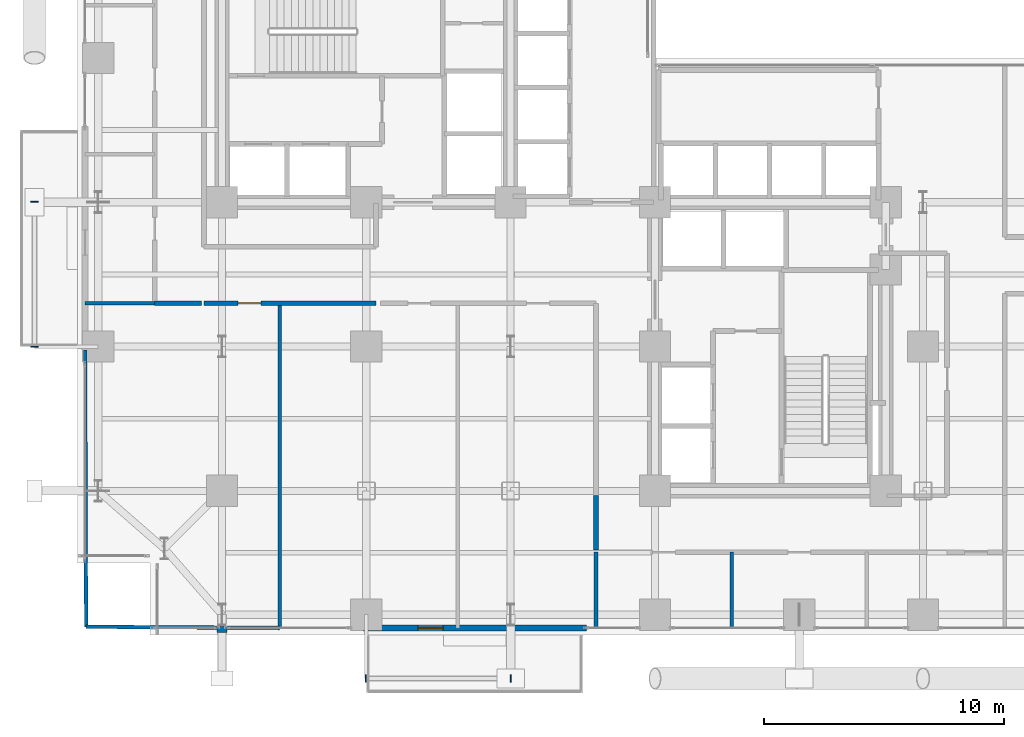
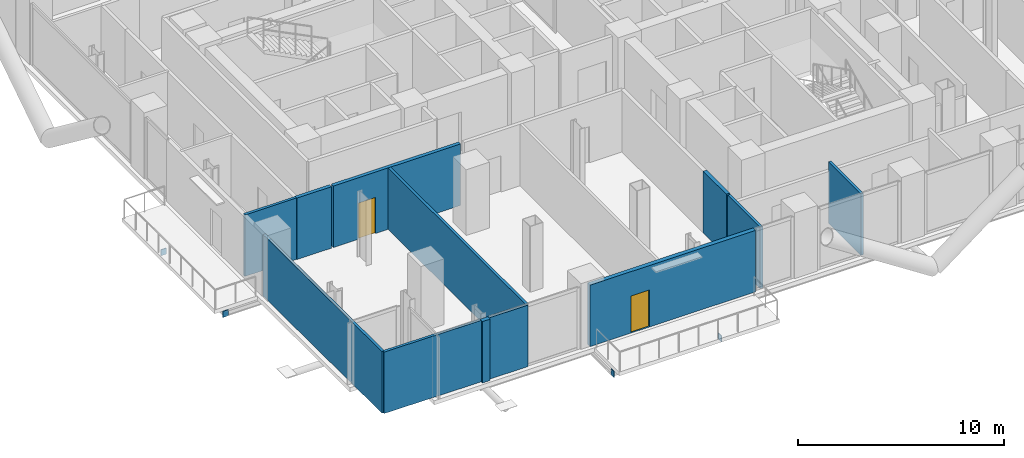
# One storey, part 19 of 25: 12 walls, 4 plates, 2 doors, 2 openings.
"""IFC4 building model written with IfcOpenShell, lengths in metres."""

from ifc_helpers import new_model, si_unit, direction, frame, frame_2d, origin, origin_2d, place, context, subcontext, project, spatial, rectangle, extrude, material, layer, layer_set, type_object, element, fill, save


model = new_model("IFC4")

# Units and contexts
model_context = context("Model", 3, precision=1e-05, world=origin(), true_north=direction((0.0, 1.0)))
body_context = subcontext(model_context, "Body", "Model", "MODEL_VIEW")
ifc_project = project(units=[si_unit("LENGTHUNIT", "METRE"), si_unit("AREAUNIT", "SQUARE_METRE"), si_unit("VOLUMEUNIT", "CUBIC_METRE"), si_unit("PLANEANGLEUNIT", "RADIAN"), si_unit("MASSUNIT", "GRAM", prefix="KILO"), si_unit("THERMODYNAMICTEMPERATUREUNIT", "KELVIN"), si_unit("POWERUNIT", "WATT")], contexts=[model_context])

# Site, building, storey
site_placement = place(None, origin())
site = spatial("IfcSite", under=ifc_project, at=site_placement, CompositionType="ELEMENT")
building_placement = place(site_placement, origin())
building = spatial("IfcBuilding", under=site, at=building_placement, Name="Svarakhadi Broadcast Tower", CompositionType="ELEMENT")
storey_placement = place(building_placement, frame((0.0, 0.0, 63.60009765625)))
storey = spatial("IfcBuildingStorey", under=building, at=storey_placement, Name="L14", CompositionType="ELEMENT", Elevation=63.60009765625)

# Plates
ifc_material_1 = material(Name="Steel S460ML (IS 2062 E450BR)", Category="steel")
ifc_layer_1 = layer(ifc_material_1, 0.028076171875)
ifc_layer_set_1 = layer_set([ifc_layer_1], Name="Steel S460ML (IS 2062 E450BR)")
plate_type = type_object("IfcPlateType", Name="Cap_Plate_CP02", PredefinedType="USERDEFINED", material=ifc_layer_set_1)
for number, where, z_axis, x_axis, name in (
    (1, (11.985107421875, -1.800048828125, -0.580078125), (0.0, 0.0, 1.0), (1.0, 0.0, 0.0), "L14 Balcony Spandrel End Cap Plate 1F-A"),
    (2, (18.014892578125, -1.800048828125, -0.580078125), (0.0, 0.0, 1.0), (1.0, 0.0, 0.0), "L14 Balcony Spandrel End Cap Plate 1F-B"),
):
    element("IfcPlate", number, at=place(storey_placement, frame(where, z_axis=z_axis, x_axis=x_axis)), inside=storey, type_object=plate_type, Name=name, ObjectType="FLANGE_PLATE", PredefinedType="USERDEFINED", context=body_context, shape_type="SweptSolid", body=[
        extrude(rectangle(XDim=0.0400390625, YDim=0.300048828125, at=origin_2d()), origin(), (0.0, 0.0, 1.0), 0.360107421875),
    ])
for number, where, z_axis, x_axis, name in (
    (3, (-1.800048828125, 11.985107421875, -0.580078125), (0.0, 0.0, 1.0), (1.0, 0.0, 0.0), "L14 Balcony Spandrel End Cap Plate 2F-A"),
    (4, (-1.800048828125, 18.014892578125, -0.580078125), (0.0, 0.0, 1.0), (1.0, 0.0, 0.0), "L14 Balcony Spandrel End Cap Plate 2F-B"),
):
    element("IfcPlate", number, at=place(storey_placement, frame(where, z_axis=z_axis, x_axis=x_axis)), inside=storey, type_object=plate_type, Name=name, ObjectType="FLANGE_PLATE", PredefinedType="USERDEFINED", context=body_context, shape_type="SweptSolid", body=[
        extrude(rectangle(XDim=0.300048828125, YDim=0.0400390625, at=origin_2d()), origin(), (0.0, 0.0, 1.0), 0.360107421875),
    ])

# Wall, opening, door
ifc_material_2 = material(Name="Concrete C40/50 (IS 456 M50)", Category="concrete")
ifc_layer_2 = layer(ifc_material_2, 0.239990234375)
ifc_layer_set_2 = layer_set([ifc_layer_2], Name="Concrete C40/50 (IS 456 M50)")
wall_type_1 = type_object("IfcWallType", Name="Wall_Ext_240", PredefinedType="SOLIDWALL", material=ifc_layer_set_2)
wall_1_placement = place(storey_placement, frame((21.14501953125, 0.300048828125, 0.0), z_axis=(0.0, 0.0, 1.0), x_axis=(-1.0, 0.0, 0.0)))
wall_1 = element("IfcWall", 5, at=wall_1_placement, inside=storey, type_object=wall_type_1, Name="L14 South Tree Balcony Spandrel Wall", PredefinedType="SOLIDWALL", context=body_context, shape_type="SweptSolid", body=[
    extrude(rectangle(XDim=9.2900390625, YDim=0.239990234375, at=frame_2d((4.64501953125, 0.0))), origin(), (0.0, 0.0, 1.0), 3.64990234375),
])
opening_1_placement = place(wall_1_placement, frame((5.949951171875, 0.0, 0.0)))
opening_1 = element("IfcOpeningElement", 6, at=opening_1_placement, cuts=wall_1, Name="Opening ED-06", PredefinedType="OPENING", context=body_context, shape_type="SweptSolid", body=[
    extrude(rectangle(XDim=1.050048828125, YDim=2.199951171875, at=frame_2d((0.52490234375, 1.10009765625))), frame((0.0, 0.1298828125, 0.0), z_axis=(0.0, -1.0, 0.0), x_axis=(1.0, 0.0, 0.0)), (0.0, 0.0, 1.0), 0.260009765625),
])
ifc_material_3 = material(Name="Anodised Bronze Aluminium AA 6063-T6", Category="aluminium")
door_type_1 = type_object("IfcDoorType", Name="Door_Ext_ED06", OperationType="SINGLE_SWING_RIGHT", PredefinedType="DOOR", material=ifc_material_3)
door_1_placement = place(opening_1_placement, origin())
door_1 = element("IfcDoor", 7, at=door_1_placement, inside=storey, type_object=door_type_1, Name="L14 South Tree Balcony Door", OperationType="SINGLE_SWING_RIGHT", OverallHeight=2.199951171875, OverallWidth=1.050048828125, PredefinedType="DOOR", context=body_context, shape_type="SweptSolid", body=[
    extrude(rectangle(XDim=1.050048828125, YDim=2.199951171875, at=frame_2d((0.52490234375, 1.10009765625))), frame((0.0, 0.02490234375, 0.0), z_axis=(0.0, -1.0, 0.0), x_axis=(1.0, 0.0, 0.0)), (0.0, 0.0, 1.0), 0.050048828125),
])
fill(opening_1, door_1)

# Walls
wall_2_placement = place(storey_placement, frame((6.215087890625, 0.239990234375, 0.0), z_axis=(0.0, 0.0, 1.0), x_axis=(-1.0, 0.0, 0.0)))
element("IfcWall", 8, at=wall_2_placement, inside=storey, type_object=wall_type_1, Name="L14 Perimeter Bronze Spandrel Closure Wall 06", PredefinedType="SOLIDWALL", context=body_context, shape_type="SweptSolid", body=[
    extrude(rectangle(XDim=0.43017578125, YDim=0.239990234375, at=frame_2d((0.215087890625, 0.0))), origin(), (0.0, 0.0, 1.0), 3.64990234375),
])
ifc_layer_3 = layer(ifc_material_2, 0.199951171875)
ifc_layer_set_3 = layer_set([ifc_layer_3], Name="Concrete C40/50 (IS 456 M50)")
wall_type_2 = type_object("IfcWallType", Name="Wall_Fire_200", PredefinedType="SOLIDWALL", material=ifc_layer_set_3)
wall_3_placement = place(storey_placement, frame((21.550048828125, 3.550048828125, 0.0), z_axis=(0.0, 0.0, 1.0), x_axis=(0.0, 1.0, 0.0)))
element("IfcWall", 9, at=wall_3_placement, inside=storey, type_object=wall_type_2, Name="L14 Broadcast Corridor Wall", PredefinedType="SOLIDWALL", context=body_context, shape_type="SweptSolid", body=[
    extrude(rectangle(XDim=2.25, YDim=0.199951171875, at=frame_2d((1.125, 0.0))), origin(), (0.0, 0.0, 1.0), 3.64990234375),
])

# Wall, opening, door
wall_4_placement = place(storey_placement, frame((12.39990234375, 13.800048828125, 0.0), z_axis=(0.0, 0.0, 1.0), x_axis=(-1.0, 0.0, 0.0)))
wall_4 = element("IfcWall", 10, at=wall_4_placement, inside=storey, type_object=wall_type_2, Name="L14 Broadcast Corridor Wall", PredefinedType="SOLIDWALL", context=body_context, shape_type="SweptSolid", body=[
    extrude(rectangle(XDim=7.14990234375, YDim=0.199951171875, at=frame_2d((3.574951171875, 0.0))), origin(), (0.0, 0.0, 1.0), 3.64990234375),
])
opening_2_placement = place(wall_4_placement, frame((4.780029296875, 0.0, 0.0)))
opening_2 = element("IfcOpeningElement", 11, at=opening_2_placement, cuts=wall_4, Name="Opening D-07", PredefinedType="OPENING", context=body_context, shape_type="SweptSolid", body=[
    extrude(rectangle(XDim=0.949951171875, YDim=2.14990234375, at=frame_2d((0.47509765625, 1.074951171875))), frame((0.0, 0.10986328125, 0.0), z_axis=(0.0, -1.0, 0.0), x_axis=(1.0, 0.0, 0.0)), (0.0, 0.0, 1.0), 0.219970703125),
])
ifc_material_4 = material(Name="Solid-Core Teak Veneer Acoustic Timber Leaf", Category="wood")
door_type_2 = type_object("IfcDoorType", Name="Door_Office_D07", OperationType="SINGLE_SWING_RIGHT", PredefinedType="DOOR", material=ifc_material_4)
door_2_placement = place(opening_2_placement, origin())
door_2 = element("IfcDoor", 12, at=door_2_placement, inside=storey, type_object=door_type_2, Name="L14 Broadcast Academy Seminar Room A Door", OperationType="SINGLE_SWING_RIGHT", OverallHeight=2.14990234375, OverallWidth=0.949951171875, PredefinedType="DOOR", context=body_context, shape_type="SweptSolid", body=[
    extrude(rectangle(XDim=0.949951171875, YDim=2.14990234375, at=frame_2d((0.47509765625, 1.074951171875))), frame((0.0, 0.02490234375, 0.0), z_axis=(0.0, -1.0, 0.0), x_axis=(1.0, 0.0, 0.0)), (0.0, 0.0, 1.0), 0.050048828125),
])
fill(opening_2, door_2)

# Walls
wall_5_placement = place(storey_placement, frame((5.14990234375, 13.800048828125, 0.0), z_axis=(0.0, 0.0, 1.0), x_axis=(-1.0, 0.0, 0.0)))
element("IfcWall", 13, at=wall_5_placement, inside=storey, type_object=wall_type_2, Name="L14 Broadcast Corridor Wall", PredefinedType="SOLIDWALL", context=body_context, shape_type="SweptSolid", body=[
    extrude(rectangle(XDim=1.949951171875, YDim=0.199951171875, at=frame_2d((0.97509765625, 0.0))), origin(), (0.0, 0.0, 1.0), 3.64990234375),
])
ifc_material_5 = material(Name="Autoclaved Aerated Concrete Blockwork 150 mm", Category="masonry")
ifc_layer_4 = layer(ifc_material_5, 0.14990234375)
ifc_layer_set_4 = layer_set([ifc_layer_4], Name="Autoclaved Aerated Concrete Blockwork 150 mm")
wall_type_3 = type_object("IfcWallType", Name="Wall_Part_150", PredefinedType="PARTITIONING", material=ifc_layer_set_4)
wall_6_placement = place(storey_placement, frame((0.35009765625, 0.35009765625, 0.0), z_axis=(0.0, 0.0, 1.0), x_axis=(0.999980506152, -0.006243982317, 0.0)))
element("IfcWall", 14, at=wall_6_placement, inside=storey, type_object=wall_type_3, Name="L14 Broadcast Academy Seminar Room A Wall", PredefinedType="PARTITIONING", context=body_context, shape_type="SweptSolid", body=[
    extrude(rectangle(XDim=5.434814453125, YDim=0.14990234375, at=frame_2d((2.71728515625, 0.0))), origin(), (0.0, 0.0, 1.0), 3.64990234375),
])
wall_7_placement = place(storey_placement, frame((6.215087890625, 0.313720703125, 0.0), z_axis=(0.0, 0.0, 1.0), x_axis=(0.99998042128, -0.006257559905, 0.0)))
element("IfcWall", 15, at=wall_7_placement, inside=storey, type_object=wall_type_3, Name="L14 Broadcast Academy Seminar Room A Wall", PredefinedType="PARTITIONING", context=body_context, shape_type="SweptSolid", body=[
    extrude(rectangle(XDim=2.184814453125, YDim=0.14990234375, at=frame_2d((1.09228515625, 0.0))), origin(), (0.0, 0.0, 1.0), 3.64990234375),
])
wall_8_placement = place(storey_placement, frame((0.35009765625, 0.35009765625, 0.0), z_axis=(0.0, 0.0, 1.0), x_axis=(-0.003734801216, 0.999993025606, 0.0)))
element("IfcWall", 16, at=wall_8_placement, inside=storey, type_object=wall_type_3, Name="L14 Broadcast Academy Seminar Room A Wall", PredefinedType="PARTITIONING", context=body_context, shape_type="SweptSolid", body=[
    extrude(rectangle(XDim=11.5048828125, YDim=0.14990234375, at=frame_2d((5.75244140625, 0.0))), origin(), (0.0, 0.0, 1.0), 3.64990234375),
])
wall_9_placement = place(storey_placement, frame((8.39990234375, 0.300048828125, 0.0), z_axis=(0.0, 0.0, 1.0), x_axis=(0.0, 1.0, 0.0)))
element("IfcWall", 17, at=wall_9_placement, inside=storey, type_object=wall_type_3, Name="L14 Broadcast Academy Seminar Room A Wall", PredefinedType="PARTITIONING", context=body_context, shape_type="SweptSolid", body=[
    extrude(rectangle(XDim=13.5, YDim=0.14990234375, at=frame_2d((6.75, 0.0))), origin(), (0.0, 0.0, 1.0), 3.64990234375),
])
wall_10_placement = place(storey_placement, frame((0.300048828125, 13.800048828125, 0.0), z_axis=(0.0, 0.0, 1.0), x_axis=(1.0, 0.0, 0.0)))
element("IfcWall", 18, at=wall_10_placement, inside=storey, type_object=wall_type_3, Name="L14 Arabian Sea Commentary Booth Wall", PredefinedType="PARTITIONING", context=body_context, shape_type="SweptSolid", body=[
    extrude(rectangle(XDim=2.89990234375, YDim=0.14990234375, at=frame_2d((1.449951171875, 0.0))), origin(), (0.0, 0.0, 1.0), 3.64990234375),
])
for number, where, z_axis, x_axis, name in (
    (19, (21.550048828125, 0.300048828125, 0.0), (0.0, 0.0, 1.0), (0.0, 1.0, 0.0), "L14 South Harbour Editorial Desk Wall"),
    (20, (27.199951171875, 0.300048828125, 0.0), (0.0, 0.0, 1.0), (0.0, 1.0, 0.0), "L14 South Harbour Editorial Desk Wall"),
):
    element("IfcWall", number, at=place(storey_placement, frame(where, z_axis=z_axis, x_axis=x_axis)), inside=storey, type_object=wall_type_3, Name=name, PredefinedType="PARTITIONING", context=body_context, shape_type="SweptSolid", body=[
        extrude(rectangle(XDim=3.14990234375, YDim=0.14990234375, at=frame_2d((1.574951171875, 0.0))), origin(), (0.0, 0.0, 1.0), 3.64990234375),
    ])

save(model, "model.ifc")
